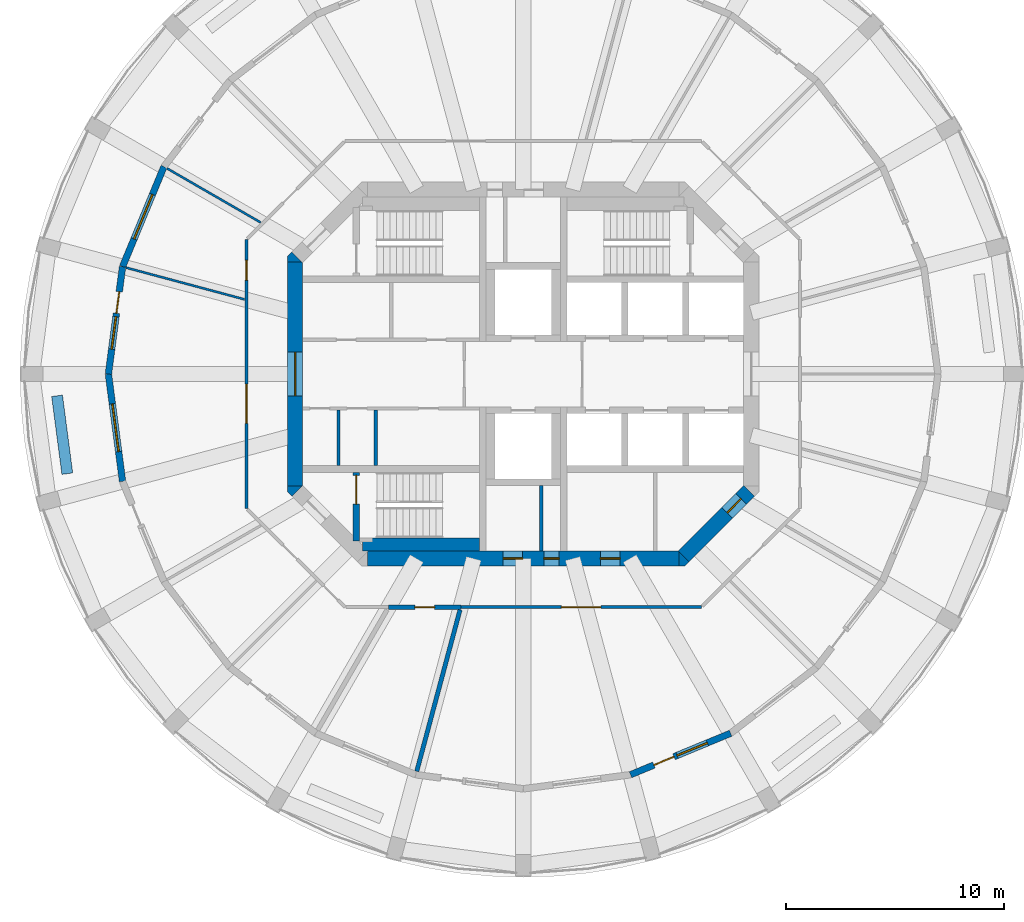
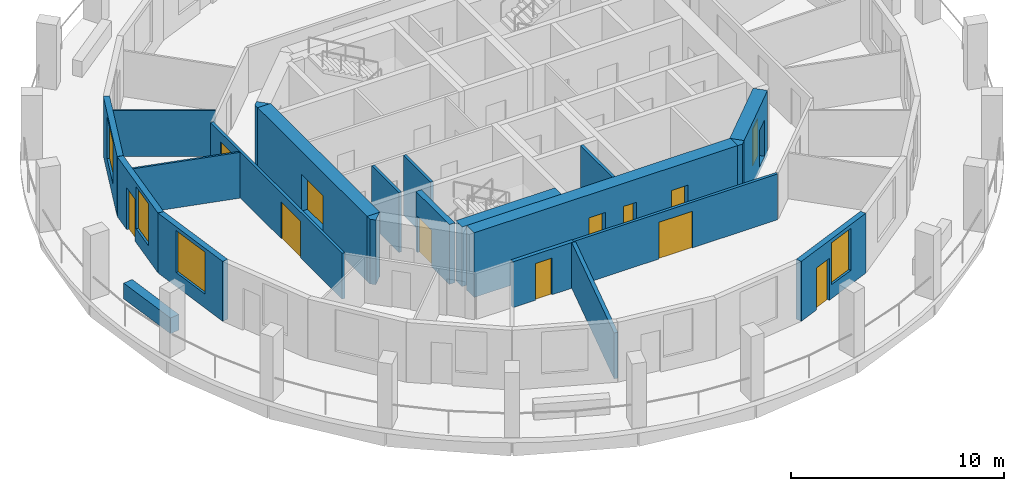
# One storey, part 3 of 9: 22 walls, 12 doors, 4 windows, 16 openings.
"""IFC4 building model written with IfcOpenShell, lengths in metres."""

from ifc_helpers import new_model, si_unit, direction, frame, frame_2d, origin, place, context, subcontext, project, spatial, polyline, rectangle, outline, extrude, material, layer, layer_set, type_object, element, fill, save


model = new_model("IFC4")

# Units and contexts
model_context = context("Model", 3, precision=1e-05, world=origin(), true_north=direction((0.0, 1.0)))
body_context = subcontext(model_context, "Body", "Model", "MODEL_VIEW")
ifc_project = project(units=[si_unit("LENGTHUNIT", "METRE"), si_unit("AREAUNIT", "SQUARE_METRE"), si_unit("VOLUMEUNIT", "CUBIC_METRE"), si_unit("PLANEANGLEUNIT", "RADIAN"), si_unit("MASSUNIT", "GRAM", prefix="KILO")], contexts=[model_context])

# Site, building, storey
site_placement = place(None, origin())
site = spatial("IfcSite", under=ifc_project, at=site_placement, CompositionType="ELEMENT")
building_placement = place(site_placement, origin())
building = spatial("IfcBuilding", under=site, at=building_placement, Name="Torre Triforio", CompositionType="ELEMENT")
storey_placement = place(building_placement, frame((0.0, 0.0, 157.89990234375)))
storey = spatial("IfcBuildingStorey", under=building, at=storey_placement, Name="L35", CompositionType="ELEMENT", Elevation=157.89990234375)

# Wall, openings, doors
ifc_material_1 = material(Name="Concrete C50", Category="concrete")
ifc_layer_1 = layer(ifc_material_1, 0.699951171875)
ifc_layer_set_1 = layer_set([ifc_layer_1], Name="Concrete C50")
wall_type_1 = type_object("IfcWallType", Name="Core wall 700 mm C50 EI 120", PredefinedType="SHEAR", material=ifc_layer_set_1)
wall_1_placement = place(storey_placement, frame((-7.1298828125, -8.449951171875, -0.27978515625), z_axis=(0.0, 0.0, 1.0), x_axis=(1.0, 0.0, 0.0)))
wall_1 = element("IfcWall", 1, at=wall_1_placement, inside=storey, type_object=wall_type_1, Name="Core wall", PredefinedType="SHEAR", context=body_context, shape_type="SweptSolid", body=[
    extrude(rectangle(XDim=14.259765625, YDim=0.699951171875, at=frame_2d((7.1298828125, 0.0))), origin(), (0.0, 0.0, 1.0), 3.699951171875),
])
opening_1_placement = place(wall_1_placement, frame((8.080078125, 0.0, 0.280029296875)))
opening_1 = element("IfcOpeningElement", 2, at=opening_1_placement, cuts=wall_1, Name="Opening RISER-S", PredefinedType="OPENING", context=body_context, shape_type="SweptSolid", body=[
    extrude(rectangle(XDim=0.699951171875, YDim=2.10009765625, at=frame_2d((0.35009765625, 1.050048828125))), frame((0.0, 0.35986328125, 0.0), z_axis=(0.0, -1.0, 0.0), x_axis=(1.0, 0.0, 0.0)), (0.0, 0.0, 1.0), 0.719970703125),
])
opening_2_placement = place(wall_1_placement, frame((6.205078125, 0.0, 0.280029296875)))
opening_2 = element("IfcOpeningElement", 3, at=opening_2_placement, cuts=wall_1, Name="Opening SW-01B", PredefinedType="OPENING", context=body_context, shape_type="SweptSolid", body=[
    extrude(rectangle(XDim=0.89990234375, YDim=2.10009765625, at=frame_2d((0.449951171875, 1.050048828125))), frame((0.0, 0.35986328125, 0.0), z_axis=(0.0, -1.0, 0.0), x_axis=(1.0, 0.0, 0.0)), (0.0, 0.0, 1.0), 0.719970703125),
])
opening_3_placement = place(wall_1_placement, frame((10.66748046875, 0.0, 0.280029296875)))
opening_3 = element("IfcOpeningElement", 4, at=opening_3_placement, cuts=wall_1, Name="Opening SE-01A", PredefinedType="OPENING", context=body_context, shape_type="SweptSolid", body=[
    extrude(rectangle(XDim=0.89990234375, YDim=2.10009765625, at=frame_2d((0.449951171875, 1.050048828125))), frame((0.0, 0.35986328125, 0.0), z_axis=(0.0, -1.0, 0.0), x_axis=(1.0, 0.0, 0.0)), (0.0, 0.0, 1.0), 0.719970703125),
])
ifc_material_2 = material(Name="Hollow metal fire door leaf")
door_type_1 = type_object("IfcDoorType", Name="Riser door 700 x 2100 EI 60", OperationType="NOTDEFINED", PredefinedType="DOOR", material=ifc_material_2)
door_1_placement = place(opening_1_placement, origin())
door_1 = element("IfcDoor", 5, at=door_1_placement, inside=storey, type_object=door_type_1, Name="Core door RISER-S", OperationType="SINGLE_SWING_RIGHT", OverallHeight=2.10009765625, OverallWidth=0.699951171875, PredefinedType="DOOR", context=body_context, shape_type="SweptSolid", body=[
    extrude(rectangle(XDim=0.699951171875, YDim=2.10009765625, at=frame_2d((0.35009765625, 1.050048828125))), frame((0.0, 0.02490234375, 0.0), z_axis=(0.0, -1.0, 0.0), x_axis=(1.0, 0.0, 0.0)), (0.0, 0.0, 1.0), 0.050048828125),
])
fill(opening_1, door_1)
door_type_2 = type_object("IfcDoorType", Name="Room door 900 x 2100 EI 60", OperationType="NOTDEFINED", PredefinedType="DOOR", material=ifc_material_2)
door_2_placement = place(opening_2_placement, origin())
door_2 = element("IfcDoor", 6, at=door_2_placement, inside=storey, type_object=door_type_2, Name="Core door SW-01", OperationType="SINGLE_SWING_LEFT", OverallHeight=2.10009765625, OverallWidth=0.89990234375, PredefinedType="DOOR", context=body_context, shape_type="SweptSolid", body=[
    extrude(rectangle(XDim=0.89990234375, YDim=2.10009765625, at=frame_2d((0.449951171875, 1.050048828125))), frame((0.0, 0.02490234375, 0.0), z_axis=(0.0, -1.0, 0.0), x_axis=(1.0, 0.0, 0.0)), (0.0, 0.0, 1.0), 0.050048828125),
])
fill(opening_2, door_2)
door_3_placement = place(opening_3_placement, origin())
door_3 = element("IfcDoor", 7, at=door_3_placement, inside=storey, type_object=door_type_2, Name="Core door SE-01", OperationType="SINGLE_SWING_LEFT", OverallHeight=2.10009765625, OverallWidth=0.89990234375, PredefinedType="DOOR", context=body_context, shape_type="SweptSolid", body=[
    extrude(rectangle(XDim=0.89990234375, YDim=2.10009765625, at=frame_2d((0.449951171875, 1.050048828125))), frame((0.0, 0.02490234375, 0.0), z_axis=(0.0, -1.0, 0.0), x_axis=(1.0, 0.0, 0.0)), (0.0, 0.0, 1.0), 0.050048828125),
])
fill(opening_3, door_3)

# Wall, opening, door
wall_2_placement = place(storey_placement, frame((-10.449951171875, -5.1298828125, -0.27978515625), z_axis=(0.0, 0.0, 1.0), x_axis=(0.0, 1.0, 0.0)))
wall_2 = element("IfcWall", 8, at=wall_2_placement, inside=storey, type_object=wall_type_1, Name="Core wall", PredefinedType="SHEAR", context=body_context, shape_type="SweptSolid", body=[
    extrude(rectangle(XDim=10.259765625, YDim=0.699951171875, at=frame_2d((5.1298828125, 0.0))), origin(), (0.0, 0.0, 1.0), 3.699951171875),
])
opening_4_placement = place(wall_2_placement, frame((4.1298828125, 0.0, 0.280029296875)))
opening_4 = element("IfcOpeningElement", 9, at=opening_4_placement, cuts=wall_2, Name="Opening W-RING", PredefinedType="OPENING", context=body_context, shape_type="SweptSolid", body=[
    extrude(rectangle(XDim=2.0, YDim=2.10009765625, at=frame_2d((1.0, 1.050048828125))), frame((0.0, 0.35986328125, 0.0), z_axis=(0.0, -1.0, 0.0), x_axis=(1.0, 0.0, 0.0)), (0.0, 0.0, 1.0), 0.719970703125),
])
door_type_3 = type_object("IfcDoorType", Name="Lobby door 2000 x 2100 EI 60", OperationType="DOUBLE_DOOR_SINGLE_SWING", PredefinedType="DOOR", material=ifc_material_2)
door_4_placement = place(opening_4_placement, origin())
door_4 = element("IfcDoor", 10, at=door_4_placement, inside=storey, type_object=door_type_3, Name="Core door W-RING", OperationType="DOUBLE_DOOR_SINGLE_SWING", OverallHeight=2.10009765625, OverallWidth=2.0, PredefinedType="DOOR", context=body_context, shape_type="SweptSolid", body=[
    extrude(rectangle(XDim=2.0, YDim=2.10009765625, at=frame_2d((1.0, 1.050048828125))), frame((0.0, 0.02490234375, 0.0), z_axis=(0.0, -1.0, 0.0), x_axis=(1.0, 0.0, 0.0)), (0.0, 0.0, 1.0), 0.050048828125),
])
fill(opening_4, door_4)

wall_3_placement = place(storey_placement, frame((10.347412109375, -5.347412109375, -0.27978515625), z_axis=(0.0, 0.0, 1.0), x_axis=(-0.707106781187, -0.707106781187, 0.0)))
wall_3 = element("IfcWall", 11, at=wall_3_placement, inside=storey, type_object=wall_type_1, Name="Core wall", PredefinedType="SHEAR", context=body_context, shape_type="SweptSolid", body=[
    extrude(rectangle(XDim=4.24267578125, YDim=0.699951171875, at=frame_2d((2.121337890625, 0.0))), origin(), (0.0, 0.0, 1.0), 3.699951171875),
])
opening_5_placement = place(wall_3_placement, frame((0.52001953125, 0.0, 0.280029296875)))
opening_5 = element("IfcOpeningElement", 12, at=opening_5_placement, cuts=wall_3, Name="Opening SE-02", PredefinedType="OPENING", context=body_context, shape_type="SweptSolid", body=[
    extrude(rectangle(XDim=0.89990234375, YDim=2.10009765625, at=frame_2d((0.449951171875, 1.050048828125))), frame((0.0, 0.35986328125, 0.0), z_axis=(0.0, -1.0, 0.0), x_axis=(1.0, 0.0, 0.0)), (0.0, 0.0, 1.0), 0.719970703125),
])
door_5_placement = place(opening_5_placement, origin())
door_5 = element("IfcDoor", 13, at=door_5_placement, inside=storey, type_object=door_type_2, Name="Core door SE-02", OperationType="SINGLE_SWING_RIGHT", OverallHeight=2.10009765625, OverallWidth=0.89990234375, PredefinedType="DOOR", context=body_context, shape_type="SweptSolid", body=[
    extrude(rectangle(XDim=0.89990234375, YDim=2.10009765625, at=frame_2d((0.449951171875, 1.050048828125))), frame((0.0, 0.02490234375, 0.0), z_axis=(0.0, -1.0, 0.0), x_axis=(1.0, 0.0, 0.0)), (0.0, 0.0, 1.0), 0.050048828125),
])
fill(opening_5, door_5)

# Walls
wall_4_placement = place(storey_placement, frame((0.0, 0.0, -0.27978515625)))
element("IfcWall", 14, at=wall_4_placement, inside=storey, type_object=wall_type_1, Name="Core wall", PredefinedType="SHEAR", context=body_context, shape_type="SweptSolid", body=[
    extrude(outline(polyline([(7.389892578125, -8.800048828125), (7.1298828125, -8.800048828125), (7.1298828125, -8.800048828125), (7.1298828125, -8.1298828125), (7.594970703125, -8.594970703125), (7.594970703125, -8.594970703125), (7.594970703125, -8.594970703125), (7.389892578125, -8.800048828125)])), origin(), (0.0, 0.0, 1.0), 3.699951171875),
])
wall_5_placement = place(storey_placement, frame((0.0, 0.0, -0.27978515625)))
element("IfcWall", 15, at=wall_5_placement, inside=storey, type_object=wall_type_1, Name="Core wall", PredefinedType="SHEAR", context=body_context, shape_type="SweptSolid", body=[
    extrude(outline(polyline([(-10.800048828125, -5.389892578125), (-10.800048828125, -5.1298828125), (-10.800048828125, -5.1298828125), (-10.1298828125, -5.1298828125), (-10.594970703125, -5.594970703125), (-10.594970703125, -5.594970703125), (-10.594970703125, -5.594970703125), (-10.800048828125, -5.389892578125)])), origin(), (0.0, 0.0, 1.0), 3.699951171875),
])
wall_6_placement = place(storey_placement, frame((0.0, 0.0, -0.27978515625)))
element("IfcWall", 16, at=wall_6_placement, inside=storey, type_object=wall_type_1, Name="Core wall", PredefinedType="SHEAR", context=body_context, shape_type="SweptSolid", body=[
    extrude(outline(polyline([(-10.594970703125, 5.594970703125), (-10.594970703125, 5.594970703125), (-10.594970703125, 5.594970703125), (-10.1298828125, 5.1298828125), (-10.800048828125, 5.1298828125), (-10.800048828125, 5.1298828125), (-10.800048828125, 5.389892578125), (-10.594970703125, 5.594970703125)])), origin(), (0.0, 0.0, 1.0), 3.699951171875),
])

# Wall, opening, door
ifc_material_3 = material(Name="Plasterboard on metal studs")
ifc_layer_2 = layer(ifc_material_3, 0.14990234375)
ifc_layer_set_2 = layer_set([ifc_layer_2], Name="Plasterboard on metal studs")
wall_type_2 = type_object("IfcWallType", Name="Corridor and tenancy wall 150 mm EI 60", PredefinedType="PARTITIONING", material=ifc_layer_set_2)
wall_7_placement = place(storey_placement, frame((8.16650390625, -10.675048828125, 0.0), z_axis=(0.0, 0.0, 1.0), x_axis=(-1.0, 0.0, 0.0)))
wall_7 = element("IfcWall", 17, at=wall_7_placement, inside=storey, type_object=wall_type_2, Name="Partition 2", PredefinedType="PARTITIONING", context=body_context, shape_type="SweptSolid", body=[
    extrude(rectangle(XDim=11.02685546875, YDim=0.14990234375, at=frame_2d((5.513427734375, 0.0))), origin(), (0.0, 0.0, 1.0), 2.6201171875),
])
opening_6_placement = place(wall_7_placement, frame((4.613525390625, 0.0, 0.0)))
opening_6 = element("IfcOpeningElement", 18, at=opening_6_placement, cuts=wall_7, Name="Opening O1-13", PredefinedType="OPENING", context=body_context, shape_type="SweptSolid", body=[
    extrude(rectangle(XDim=1.800048828125, YDim=2.10009765625, at=frame_2d((0.89990234375, 1.050048828125))), frame((0.0, 0.0849609375, 0.0), z_axis=(0.0, -1.0, 0.0), x_axis=(1.0, 0.0, 0.0)), (0.0, 0.0, 1.0), 0.169921875),
])
ifc_material_4 = material(Name="Timber", Category="wood")
door_type_4 = type_object("IfcDoorType", Name="Door 1800 x 2100 double leaf EI 30", OperationType="DOUBLE_DOOR_SINGLE_SWING", PredefinedType="DOOR", material=ifc_material_4)
door_6_placement = place(opening_6_placement, origin())
door_6 = element("IfcDoor", 19, at=door_6_placement, inside=storey, type_object=door_type_4, Name="Door O1-13", OperationType="DOUBLE_DOOR_SINGLE_SWING", OverallHeight=2.10009765625, OverallWidth=1.800048828125, PredefinedType="DOOR", context=body_context, shape_type="SweptSolid", body=[
    extrude(rectangle(XDim=1.800048828125, YDim=2.10009765625, at=frame_2d((0.89990234375, 1.050048828125))), frame((0.0, 0.02490234375, 0.0), z_axis=(0.0, -1.0, 0.0), x_axis=(1.0, 0.0, 0.0)), (0.0, 0.0, 1.0), 0.050048828125),
])
fill(opening_6, door_6)

# Wall, openings, doors
wall_8_placement = place(storey_placement, frame((-12.675048828125, -6.16650390625, 0.0), z_axis=(0.0, 0.0, 1.0), x_axis=(0.0, 1.0, 0.0)))
wall_8 = element("IfcWall", 20, at=wall_8_placement, inside=storey, type_object=wall_type_2, Name="Partition 6", PredefinedType="PARTITIONING", context=body_context, shape_type="SweptSolid", body=[
    extrude(rectangle(XDim=12.3330078125, YDim=0.14990234375, at=frame_2d((6.16650390625, 0.0))), origin(), (0.0, 0.0, 1.0), 2.6201171875),
])
opening_7_placement = place(wall_8_placement, frame((10.47314453125, 0.0, 0.0)))
opening_7 = element("IfcOpeningElement", 21, at=opening_7_placement, cuts=wall_8, Name="Opening O1-08", PredefinedType="OPENING", context=body_context, shape_type="SweptSolid", body=[
    extrude(rectangle(XDim=0.89990234375, YDim=2.10009765625, at=frame_2d((0.449951171875, 1.050048828125))), frame((0.0, 0.0849609375, 0.0), z_axis=(0.0, -1.0, 0.0), x_axis=(1.0, 0.0, 0.0)), (0.0, 0.0, 1.0), 0.169921875),
])
opening_8_placement = place(wall_8_placement, frame((3.9072265625, 0.0, 0.0)))
opening_8 = element("IfcOpeningElement", 22, at=opening_8_placement, cuts=wall_8, Name="Opening O1-09", PredefinedType="OPENING", context=body_context, shape_type="SweptSolid", body=[
    extrude(rectangle(XDim=1.800048828125, YDim=2.10009765625, at=frame_2d((0.89990234375, 1.050048828125))), frame((0.0, 0.0849609375, 0.0), z_axis=(0.0, -1.0, 0.0), x_axis=(1.0, 0.0, 0.0)), (0.0, 0.0, 1.0), 0.169921875),
])
door_7_placement = place(opening_8_placement, origin())
door_7 = element("IfcDoor", 23, at=door_7_placement, inside=storey, type_object=door_type_4, Name="Door O1-09", OperationType="DOUBLE_DOOR_SINGLE_SWING", OverallHeight=2.10009765625, OverallWidth=1.800048828125, PredefinedType="DOOR", context=body_context, shape_type="SweptSolid", body=[
    extrude(rectangle(XDim=1.800048828125, YDim=2.10009765625, at=frame_2d((0.89990234375, 1.050048828125))), frame((0.0, 0.02490234375, 0.0), z_axis=(0.0, -1.0, 0.0), x_axis=(1.0, 0.0, 0.0)), (0.0, 0.0, 1.0), 0.050048828125),
])
fill(opening_8, door_7)
door_type_5 = type_object("IfcDoorType", Name="Door 900 x 2100 single leaf EI 30", OperationType="NOTDEFINED", PredefinedType="DOOR", material=ifc_material_4)
door_8_placement = place(opening_7_placement, origin())
door_8 = element("IfcDoor", 24, at=door_8_placement, inside=storey, type_object=door_type_5, Name="Door O1-08", OperationType="SINGLE_SWING_RIGHT", OverallHeight=2.10009765625, OverallWidth=0.89990234375, PredefinedType="DOOR", context=body_context, shape_type="SweptSolid", body=[
    extrude(rectangle(XDim=0.89990234375, YDim=2.10009765625, at=frame_2d((0.449951171875, 1.050048828125))), frame((0.0, 0.02490234375, 0.0), z_axis=(0.0, -1.0, 0.0), x_axis=(1.0, 0.0, 0.0)), (0.0, 0.0, 1.0), 0.050048828125),
])
fill(opening_7, door_8)

# Walls
ifc_layer_3 = layer(ifc_material_3, 0.10009765625)
ifc_layer_set_3 = layer_set([ifc_layer_3], Name="Plasterboard on metal studs")
wall_type_3 = type_object("IfcWallType", Name="Partition 100 mm board on metal studs", PredefinedType="PARTITIONING", material=ifc_layer_set_3)
wall_9_placement = place(storey_placement, frame((-12.025146484375, 6.94287109375, 0.0), z_axis=(0.0, 0.0, 1.0), x_axis=(-0.866025463095, 0.499999897272, 0.0)))
element("IfcWall", 25, at=wall_9_placement, inside=storey, type_object=wall_type_3, Name="Partition 18", PredefinedType="PARTITIONING", context=body_context, shape_type="SweptSolid", body=[
    extrude(rectangle(XDim=4.951171875, YDim=0.10009765625, at=frame_2d((2.4755859375, 0.0))), origin(), (0.0, 0.0, 1.0), 2.6201171875),
])
wall_10_placement = place(storey_placement, frame((-12.764404296875, 3.420166015625, 0.0), z_axis=(0.0, 0.0, 1.0), x_axis=(-0.965925759926, 0.258819292773, 0.0)))
element("IfcWall", 26, at=wall_10_placement, inside=storey, type_object=wall_type_3, Name="Partition 19", PredefinedType="PARTITIONING", context=body_context, shape_type="SweptSolid", body=[
    extrude(rectangle(XDim=5.6220703125, YDim=0.10009765625, at=frame_2d((2.81103515625, 0.0))), origin(), (0.0, 0.0, 1.0), 2.6201171875),
])
ifc_material_5 = material(Name="Block and board partition")
ifc_layer_4 = layer(ifc_material_5, 0.14990234375)
ifc_layer_set_4 = layer_set([ifc_layer_4], Name="Block and board partition")
wall_type_4 = type_object("IfcWallType", Name="Partition 150 mm", PredefinedType="PARTITIONING", material=ifc_layer_set_4)
for number, where, z_axis, x_axis, name in (
    (27, (-8.465087890625, -4.199951171875, 0.0), (0.0, 0.0, 1.0), (0.0, 1.0, 0.0), "Partition"),
    (28, (-6.7548828125, -4.199951171875, 0.0), (0.0, 0.0, 1.0), (0.0, 1.0, 0.0), "Partition"),
):
    element("IfcWall", number, at=place(storey_placement, frame(where, z_axis=z_axis, x_axis=x_axis)), inside=storey, type_object=wall_type_4, Name=name, PredefinedType="PARTITIONING", context=body_context, shape_type="SweptSolid", body=[
        extrude(rectangle(XDim=2.550048828125, YDim=0.14990234375, at=frame_2d((1.27490234375, 0.0))), origin(), (0.0, 0.0, 1.0), 3.420166015625),
    ])
ifc_layer_5 = layer(ifc_material_5, 0.14990234375)
ifc_layer_set_5 = layer_set([ifc_layer_5], Name="Block and board partition")
wall_type_5 = type_object("IfcWallType", Name="Partition 150 mm EI 120", PredefinedType="PARTITIONING", material=ifc_layer_set_5)
wall_11_placement = place(storey_placement, frame((0.824951171875, -8.10009765625, 0.0), z_axis=(0.0, 0.0, 1.0), x_axis=(0.0, 1.0, 0.0)))
element("IfcWall", 29, at=wall_11_placement, inside=storey, type_object=wall_type_5, Name="Partition", PredefinedType="PARTITIONING", context=body_context, shape_type="SweptSolid", body=[
    extrude(rectangle(XDim=3.0, YDim=0.14990234375, at=frame_2d((1.5, 0.0))), origin(), (0.0, 0.0, 1.0), 3.420166015625),
])

# Wall, opening, door
ifc_material_6 = material(Name="Masonry block", Category="masonry")
ifc_layer_6 = layer(ifc_material_6, 0.199951171875)
ifc_layer_set_6 = layer_set([ifc_layer_6], Name="Masonry block")
wall_type_6 = type_object("IfcWallType", Name="Plant room wall 200 mm block EI 120", PredefinedType="PARTITIONING", material=ifc_layer_set_6)
wall_12_placement = place(storey_placement, frame((-2.8603515625, -10.675048828125, 0.0), z_axis=(0.0, 0.0, 1.0), x_axis=(-1.0, 0.0, 0.0)))
wall_12 = element("IfcWall", 30, at=wall_12_placement, inside=storey, type_object=wall_type_6, Name="Partition 3", PredefinedType="PARTITIONING", context=body_context, shape_type="SweptSolid", body=[
    extrude(rectangle(XDim=3.302734375, YDim=0.199951171875, at=frame_2d((1.6513671875, 0.0))), origin(), (0.0, 0.0, 1.0), 2.6201171875),
])
opening_9_placement = place(wall_12_placement, frame((1.201416015625, 0.0, 0.0)))
opening_9 = element("IfcOpeningElement", 31, at=opening_9_placement, cuts=wall_12, Name="Opening O1-12", PredefinedType="OPENING", context=body_context, shape_type="SweptSolid", body=[
    extrude(rectangle(XDim=0.89990234375, YDim=2.10009765625, at=frame_2d((0.449951171875, 1.050048828125))), frame((0.0, 0.10986328125, 0.0), z_axis=(0.0, -1.0, 0.0), x_axis=(1.0, 0.0, 0.0)), (0.0, 0.0, 1.0), 0.219970703125),
])
door_type_6 = type_object("IfcDoorType", Name="Door 900 x 2100 single leaf EI 60", OperationType="NOTDEFINED", PredefinedType="DOOR", material=ifc_material_2)
door_9_placement = place(opening_9_placement, origin())
door_9 = element("IfcDoor", 32, at=door_9_placement, inside=storey, type_object=door_type_6, Name="Door O1-12", OperationType="SINGLE_SWING_LEFT", OverallHeight=2.10009765625, OverallWidth=0.89990234375, PredefinedType="DOOR", context=body_context, shape_type="SweptSolid", body=[
    extrude(rectangle(XDim=0.89990234375, YDim=2.10009765625, at=frame_2d((0.449951171875, 1.050048828125))), frame((0.0, 0.02490234375, 0.0), z_axis=(0.0, -1.0, 0.0), x_axis=(1.0, 0.0, 0.0)), (0.0, 0.0, 1.0), 0.050048828125),
])
fill(opening_9, door_9)

# Walls
wall_13_placement = place(storey_placement, frame((-2.89404296875, -10.800537109375, 0.0), z_axis=(0.0, 0.0, 1.0), x_axis=(-0.258807821336, -0.965928833618, 0.0)))
element("IfcWall", 33, at=wall_13_placement, inside=storey, type_object=wall_type_6, Name="Partition 23", PredefinedType="PARTITIONING", context=body_context, shape_type="SweptSolid", body=[
    extrude(rectangle(XDim=7.655029296875, YDim=0.199951171875, at=frame_2d((3.82763671875, 0.0))), origin(), (0.0, 0.0, 1.0), 2.6201171875),
])
ifc_material_7 = material(Name="Limestone cladding", Category="masonry")
ifc_layer_7 = layer(ifc_material_7, 0.10009765625)
ifc_material_8 = material(Name="Concrete C40", Category="concrete")
ifc_layer_8 = layer(ifc_material_8, 0.39990234375)
ifc_layer_set_7 = layer_set([ifc_layer_7, ifc_layer_8], Name="Limestone cladding / Concrete C40")
wall_type_7 = type_object("IfcWallType", Name="Planter wall 500", PredefinedType="PARAPET", material=ifc_layer_set_7)
wall_14_placement = place(storey_placement, frame((-21.352783203125, -0.99560546875, 0.0), z_axis=(0.0, 0.0, 1.0), x_axis=(0.130551000099, -0.991441595039, 0.0)))
element("IfcWall", 34, at=wall_14_placement, inside=storey, type_object=wall_type_7, Name="Planter L35 bay 13", PredefinedType="PARAPET", context=body_context, shape_type="SweptSolid", body=[
    extrude(rectangle(XDim=3.599853515625, YDim=0.5, at=frame_2d((1.7998046875, 0.0))), origin(), (0.0, 0.0, 1.0), 0.900146484375),
])

# Wall, opening, door
ifc_layer_9 = layer(ifc_material_1, 0.300048828125)
ifc_layer_set_8 = layer_set([ifc_layer_9], Name="Concrete C50")
wall_type_8 = type_object("IfcWallType", Name="Stair wall 300 mm C50 EI 120", PredefinedType="SHEAR", material=ifc_layer_set_8)
wall_15_placement = place(storey_placement, frame((-7.64990234375, -7.639892578125, 0.0), z_axis=(0.0, 0.0, 1.0), x_axis=(0.0, 1.0, 0.0)))
wall_15 = element("IfcWall", 35, at=wall_15_placement, inside=storey, type_object=wall_type_8, Name="Stair wall", PredefinedType="SHEAR", context=body_context, shape_type="SweptSolid", body=[
    extrude(rectangle(XDim=3.139892578125, YDim=0.300048828125, at=frame_2d((1.56982421875, 0.0))), origin(), (0.0, 0.0, 1.0), 3.420166015625),
])
opening_10_placement = place(wall_15_placement, frame((1.679931640625, 0.0, 0.0)))
opening_10 = element("IfcOpeningElement", 36, at=opening_10_placement, cuts=wall_15, Name="Opening ST3-STA", PredefinedType="OPENING", context=body_context, shape_type="SweptSolid", body=[
    extrude(rectangle(XDim=1.320068359375, YDim=2.10009765625, at=frame_2d((0.66015625, 1.050048828125))), frame((0.0, 0.159912109375, 0.0), z_axis=(0.0, -1.0, 0.0), x_axis=(1.0, 0.0, 0.0)), (0.0, 0.0, 1.0), 0.320068359375),
])
door_type_7 = type_object("IfcDoorType", Name="Stair door 1320 x 2100 EI 90", OperationType="DOUBLE_DOOR_SINGLE_SWING", PredefinedType="DOOR", material=ifc_material_2)
door_10_placement = place(opening_10_placement, origin())
door_10 = element("IfcDoor", 37, at=door_10_placement, inside=storey, type_object=door_type_7, Name="Core door ST3-ST", OperationType="DOUBLE_DOOR_SINGLE_SWING", OverallHeight=2.10009765625, OverallWidth=1.320068359375, PredefinedType="DOOR", context=body_context, shape_type="SweptSolid", body=[
    extrude(rectangle(XDim=1.320068359375, YDim=2.10009765625, at=frame_2d((0.66015625, 1.050048828125))), frame((0.0, 0.02490234375, 0.0), z_axis=(0.0, -1.0, 0.0), x_axis=(1.0, 0.0, 0.0)), (0.0, 0.0, 1.0), 0.050048828125),
])
fill(opening_10, door_10)

# Wall
ifc_layer_10 = layer(ifc_material_1, 0.60009765625)
ifc_layer_set_9 = layer_set([ifc_layer_10], Name="Concrete C50")
wall_type_9 = type_object("IfcWallType", Name="Stair wall 600 mm C50 EI 120", PredefinedType="SHEAR", material=ifc_layer_set_9)
wall_16_placement = place(storey_placement, frame((-7.3701171875, -7.800048828125, 0.0), z_axis=(0.0, 0.0, 1.0), x_axis=(1.0, 0.0, 0.0)))
element("IfcWall", 38, at=wall_16_placement, inside=storey, type_object=wall_type_9, Name="Stair wall", PredefinedType="SHEAR", context=body_context, shape_type="SweptSolid", body=[
    extrude(rectangle(XDim=5.3701171875, YDim=0.60009765625, at=frame_2d((2.68505859375, 0.0))), origin(), (0.0, 0.0, 1.0), 3.420166015625),
])

# Wall, opening, window
ifc_layer_11 = layer(ifc_material_7, 0.10009765625)
ifc_layer_12 = layer(ifc_material_8, 0.199951171875)
ifc_layer_set_10 = layer_set([ifc_layer_11, ifc_layer_12], Name="Limestone cladding / Concrete C40")
wall_type_10 = type_object("IfcWallType", Name="Stone-faced composite wall 300", PredefinedType="STANDARD", material=ifc_layer_set_10)
wall_17_placement = place(storey_placement, frame((-16.45458984375, 9.5, 0.0), z_axis=(0.0, 0.0, 1.0), x_axis=(-0.382650301762, -0.923893254961, 0.0)))
wall_17 = element("IfcWall", 39, at=wall_17_placement, inside=storey, type_object=wall_type_10, Name="External wall L35 bay 11", PredefinedType="STANDARD", context=body_context, shape_type="SweptSolid", body=[
    extrude(rectangle(XDim=4.9599609375, YDim=0.300048828125, at=frame_2d((2.47998046875, 0.0))), origin(), (0.0, 0.0, 1.0), 3.420166015625),
])
opening_11_placement = place(wall_17_placement, frame((1.3798828125, 0.0, 0.800048828125)))
opening_11 = element("IfcOpeningElement", 40, at=opening_11_placement, cuts=wall_17, Name="Opening O1-W11", PredefinedType="OPENING", context=body_context, shape_type="SweptSolid", body=[
    extrude(rectangle(XDim=2.199951171875, YDim=2.39990234375, at=frame_2d((1.10009765625, 1.199951171875))), frame((0.0, 0.159912109375, 0.0), z_axis=(0.0, -1.0, 0.0), x_axis=(1.0, 0.0, 0.0)), (0.0, 0.0, 1.0), 0.320068359375),
])
ifc_material_9 = material(Name="Aluminium frame with clear double glazing", Category="aluminium")
window_type_1 = type_object("IfcWindowType", Name="Punched window 2200 x 2400", PartitioningType="DOUBLE_PANEL_VERTICAL", PredefinedType="WINDOW", material=ifc_material_9)
window_1_placement = place(opening_11_placement, origin())
window_1 = element("IfcWindow", 41, at=window_1_placement, inside=storey, type_object=window_type_1, Name="Window EWN5 L35 bay 11", OverallHeight=2.39990234375, OverallWidth=2.199951171875, PartitioningType="SINGLE_PANEL", PredefinedType="WINDOW", context=body_context, shape_type="SweptSolid", body=[
    extrude(rectangle(XDim=2.199951171875, YDim=2.39990234375, at=frame_2d((1.10009765625, 1.199951171875))), frame((0.0, 0.030029296875, 0.0), z_axis=(0.0, -1.0, 0.0), x_axis=(1.0, 0.0, 0.0)), (0.0, 0.0, 1.0), 0.06005859375),
])
fill(opening_11, window_1)

# Wall, openings, door, window
wall_18_placement = place(storey_placement, frame((-18.3525390625, 4.91748046875, 0.0), z_axis=(0.0, 0.0, 1.0), x_axis=(-0.130538549191, -0.991443234469, 0.0)))
wall_18 = element("IfcWall", 42, at=wall_18_placement, inside=storey, type_object=wall_type_10, Name="External wall L35 bay 12", PredefinedType="STANDARD", context=body_context, shape_type="SweptSolid", body=[
    extrude(rectangle(XDim=4.9599609375, YDim=0.300048828125, at=frame_2d((2.47998046875, 0.0))), origin(), (0.0, 0.0, 1.0), 3.420166015625),
])
opening_12_placement = place(wall_18_placement, frame((1.155029296875, 0.0, 0.0)))
opening_12 = element("IfcOpeningElement", 43, at=opening_12_placement, cuts=wall_18, Name="Opening O1-D12", PredefinedType="OPENING", context=body_context, shape_type="SweptSolid", body=[
    extrude(rectangle(XDim=1.0, YDim=2.39990234375, at=frame_2d((0.5, 1.199951171875))), frame((0.0, 0.159912109375, 0.0), z_axis=(0.0, -1.0, 0.0), x_axis=(1.0, 0.0, 0.0)), (0.0, 0.0, 1.0), 0.320068359375),
])
opening_13_placement = place(wall_18_placement, frame((2.304931640625, 0.0, 0.800048828125)))
opening_13 = element("IfcOpeningElement", 44, at=opening_13_placement, cuts=wall_18, Name="Opening O1-W12A", PredefinedType="OPENING", context=body_context, shape_type="SweptSolid", body=[
    extrude(rectangle(XDim=1.5, YDim=2.39990234375, at=frame_2d((0.75, 1.199951171875))), frame((0.0, 0.159912109375, 0.0), z_axis=(0.0, -1.0, 0.0), x_axis=(1.0, 0.0, 0.0)), (0.0, 0.0, 1.0), 0.320068359375),
])
door_type_8 = type_object("IfcDoorType", Name="Loggia door 1000 x 2400", OperationType="NOTDEFINED", PredefinedType="DOOR", material=ifc_material_9)
door_11_placement = place(opening_12_placement, origin())
door_11 = element("IfcDoor", 45, at=door_11_placement, inside=storey, type_object=door_type_8, Name="Loggia door L35 bay 12", OperationType="SINGLE_SWING_LEFT", OverallHeight=2.39990234375, OverallWidth=1.0, PredefinedType="DOOR", context=body_context, shape_type="SweptSolid", body=[
    extrude(rectangle(XDim=1.0, YDim=2.39990234375, at=frame_2d((0.5, 1.199951171875))), frame((0.0, 0.02490234375, 0.0), z_axis=(0.0, -1.0, 0.0), x_axis=(1.0, 0.0, 0.0)), (0.0, 0.0, 1.0), 0.050048828125),
])
fill(opening_12, door_11)
window_type_2 = type_object("IfcWindowType", Name="Side window 1500 x 2400", PartitioningType="SINGLE_PANEL", PredefinedType="WINDOW", material=ifc_material_9)
window_2_placement = place(opening_13_placement, origin())
window_2 = element("IfcWindow", 46, at=window_2_placement, inside=storey, type_object=window_type_2, Name="Side window EWN14 L35 bay 12", OverallHeight=2.39990234375, OverallWidth=1.5, PartitioningType="SINGLE_PANEL", PredefinedType="WINDOW", context=body_context, shape_type="SweptSolid", body=[
    extrude(rectangle(XDim=1.5, YDim=2.39990234375, at=frame_2d((0.75, 1.199951171875))), frame((0.0, 0.030029296875, 0.0), z_axis=(0.0, -1.0, 0.0), x_axis=(1.0, 0.0, 0.0)), (0.0, 0.0, 1.0), 0.06005859375),
])
fill(opening_13, window_2)

# Wall, opening, window
wall_19_placement = place(storey_placement, frame((-19.0, 0.0, 0.0), z_axis=(0.0, 0.0, 1.0), x_axis=(0.130538549191, -0.991443234469, 0.0)))
wall_19 = element("IfcWall", 47, at=wall_19_placement, inside=storey, type_object=wall_type_10, Name="External wall L35 bay 13", PredefinedType="STANDARD", context=body_context, shape_type="SweptSolid", body=[
    extrude(rectangle(XDim=4.9599609375, YDim=0.300048828125, at=frame_2d((2.47998046875, 0.0))), origin(), (0.0, 0.0, 1.0), 3.420166015625),
])
opening_14_placement = place(wall_19_placement, frame((1.3798828125, 0.0, 0.800048828125)))
opening_14 = element("IfcOpeningElement", 48, at=opening_14_placement, cuts=wall_19, Name="Opening O1-W13", PredefinedType="OPENING", context=body_context, shape_type="SweptSolid", body=[
    extrude(rectangle(XDim=2.199951171875, YDim=2.39990234375, at=frame_2d((1.10009765625, 1.199951171875))), frame((0.0, 0.159912109375, 0.0), z_axis=(0.0, -1.0, 0.0), x_axis=(1.0, 0.0, 0.0)), (0.0, 0.0, 1.0), 0.320068359375),
])
window_3_placement = place(opening_14_placement, origin())
window_3 = element("IfcWindow", 49, at=window_3_placement, inside=storey, type_object=window_type_1, Name="Window EWN5 L35 bay 13", OverallHeight=2.39990234375, OverallWidth=2.199951171875, PartitioningType="SINGLE_PANEL", PredefinedType="WINDOW", context=body_context, shape_type="SweptSolid", body=[
    extrude(rectangle(XDim=2.199951171875, YDim=2.39990234375, at=frame_2d((1.10009765625, 1.199951171875))), frame((0.0, 0.030029296875, 0.0), z_axis=(0.0, -1.0, 0.0), x_axis=(1.0, 0.0, 0.0)), (0.0, 0.0, 1.0), 0.06005859375),
])
fill(opening_14, window_3)

# Wall, openings, door, window
wall_20_placement = place(storey_placement, frame((4.91748046875, -18.3525390625, 0.0), z_axis=(0.0, 0.0, 1.0), x_axis=(0.923893254961, 0.382650301762, 0.0)))
wall_20 = element("IfcWall", 50, at=wall_20_placement, inside=storey, type_object=wall_type_10, Name="External wall L35 bay 20", PredefinedType="STANDARD", context=body_context, shape_type="SweptSolid", body=[
    extrude(rectangle(XDim=4.9599609375, YDim=0.300048828125, at=frame_2d((2.47998046875, 0.0))), origin(), (0.0, 0.0, 1.0), 3.420166015625),
])
opening_15_placement = place(wall_20_placement, frame((1.155029296875, 0.0, 0.0)))
opening_15 = element("IfcOpeningElement", 51, at=opening_15_placement, cuts=wall_20, Name="Opening O1-D20", PredefinedType="OPENING", context=body_context, shape_type="SweptSolid", body=[
    extrude(rectangle(XDim=1.0, YDim=2.39990234375, at=frame_2d((0.5, 1.199951171875))), frame((0.0, 0.159912109375, 0.0), z_axis=(0.0, -1.0, 0.0), x_axis=(1.0, 0.0, 0.0)), (0.0, 0.0, 1.0), 0.320068359375),
])
opening_16_placement = place(wall_20_placement, frame((2.304931640625, 0.0, 0.800048828125)))
opening_16 = element("IfcOpeningElement", 52, at=opening_16_placement, cuts=wall_20, Name="Opening O1-W20A", PredefinedType="OPENING", context=body_context, shape_type="SweptSolid", body=[
    extrude(rectangle(XDim=1.5, YDim=2.39990234375, at=frame_2d((0.75, 1.199951171875))), frame((0.0, 0.159912109375, 0.0), z_axis=(0.0, -1.0, 0.0), x_axis=(1.0, 0.0, 0.0)), (0.0, 0.0, 1.0), 0.320068359375),
])
door_12_placement = place(opening_15_placement, origin())
door_12 = element("IfcDoor", 53, at=door_12_placement, inside=storey, type_object=door_type_8, Name="Loggia door L35 bay 20", OperationType="SINGLE_SWING_LEFT", OverallHeight=2.39990234375, OverallWidth=1.0, PredefinedType="DOOR", context=body_context, shape_type="SweptSolid", body=[
    extrude(rectangle(XDim=1.0, YDim=2.39990234375, at=frame_2d((0.5, 1.199951171875))), frame((0.0, 0.02490234375, 0.0), z_axis=(0.0, -1.0, 0.0), x_axis=(1.0, 0.0, 0.0)), (0.0, 0.0, 1.0), 0.050048828125),
])
fill(opening_15, door_12)
window_4_placement = place(opening_16_placement, origin())
window_4 = element("IfcWindow", 54, at=window_4_placement, inside=storey, type_object=window_type_2, Name="Side window EWN14 L35 bay 20", OverallHeight=2.39990234375, OverallWidth=1.5, PartitioningType="SINGLE_PANEL", PredefinedType="WINDOW", context=body_context, shape_type="SweptSolid", body=[
    extrude(rectangle(XDim=1.5, YDim=2.39990234375, at=frame_2d((0.75, 1.199951171875))), frame((0.0, 0.030029296875, 0.0), z_axis=(0.0, -1.0, 0.0), x_axis=(1.0, 0.0, 0.0)), (0.0, 0.0, 1.0), 0.06005859375),
])
fill(opening_16, window_4)

save(model, "model.ifc")
